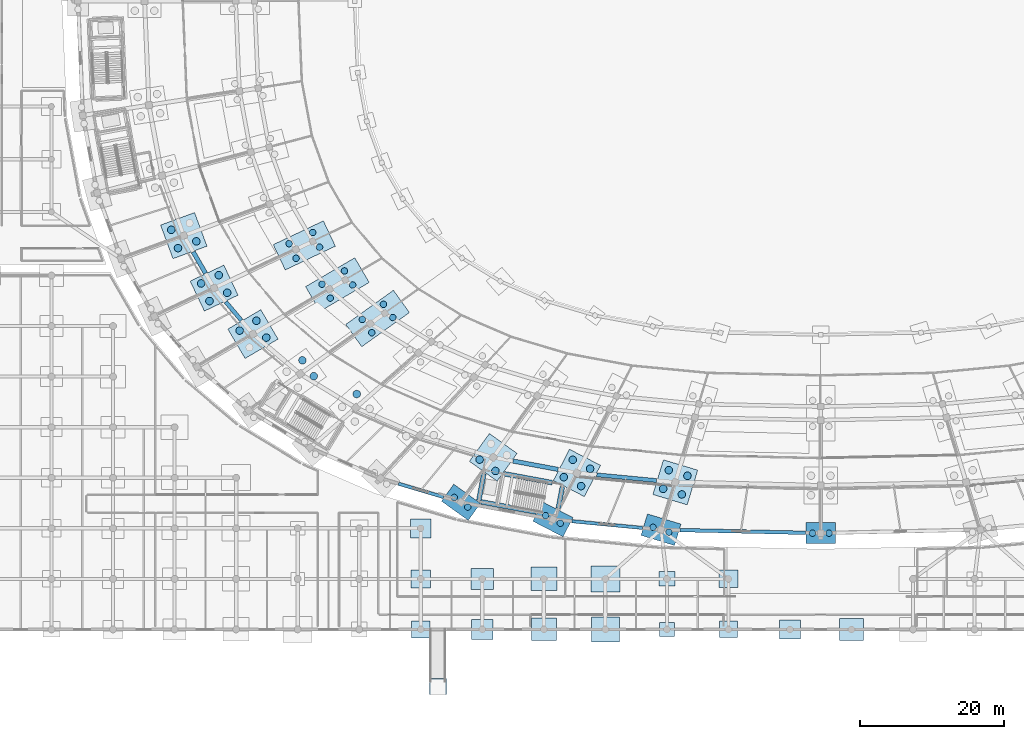
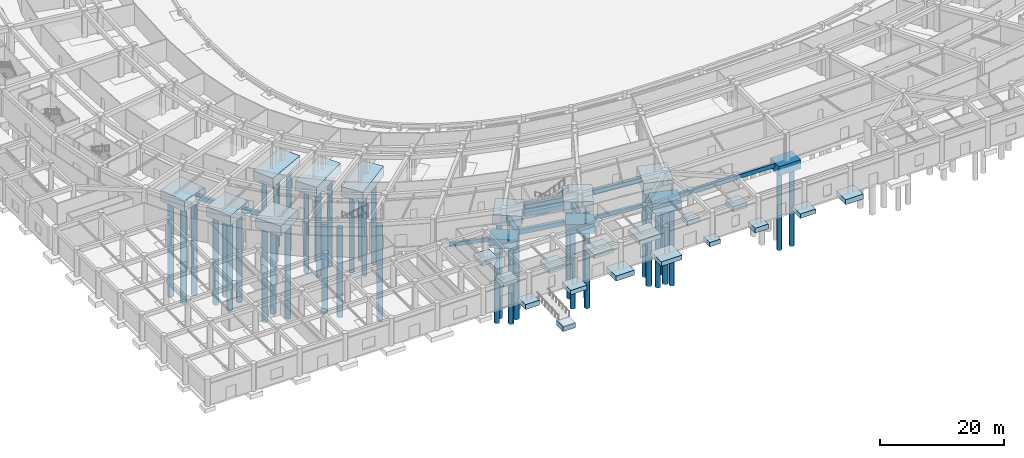
# One storey, part 2 of 88: 43 piles, 40 footings.
"""IFC4 building model written with IfcOpenShell, lengths in metres."""

from ifc_helpers import new_model, si_unit, direction, frame, origin, origin_2d, place, context, subcontext, project, spatial, rectangle, circle, extrude, material, material_profile, profile_set, type_object, element, save


model = new_model("IFC4")

# Units and contexts
model_context = context("Model", 3, precision=1e-05, world=origin(), true_north=direction((0.0, 1.0)))
body_context = subcontext(model_context, "Body", "Model", "MODEL_VIEW")
ifc_project = project(units=[si_unit("LENGTHUNIT", "METRE"), si_unit("AREAUNIT", "SQUARE_METRE"), si_unit("VOLUMEUNIT", "CUBIC_METRE"), si_unit("PLANEANGLEUNIT", "RADIAN"), si_unit("MASSUNIT", "GRAM", prefix="KILO")], contexts=[model_context])

# Site, building, storey
site_placement = place(None, origin())
site = spatial("IfcSite", under=ifc_project, at=site_placement, CompositionType="ELEMENT")
building_placement = place(site_placement, origin())
building = spatial("IfcBuilding", under=site, at=building_placement, Name="Mphavela Belvedere Stadium", CompositionType="ELEMENT")
storey_placement = place(building_placement, origin())
storey = spatial("IfcBuildingStorey", under=building, at=storey_placement, Name="L00", CompositionType="ELEMENT", Elevation=0.0)

# Footings
ifc_material_1 = material(Name="Concrete C35/45", Category="concrete")
footing_type_1 = type_object("IfcFootingType", Name="FTG-CORE-CF05", PredefinedType="PAD_FOOTING", material=ifc_material_1)
footing_1_placement = place(storey_placement, frame((78.95068359375, 18.2490234375, -0.89990234375), z_axis=(0.0, 0.0, 1.0), x_axis=(-0.183093507769, -0.983095502692, 0.0)))
element("IfcFooting", 1, at=footing_1_placement, inside=storey, type_object=footing_type_1, Name="Core C11 shear wall foundation pad left", PredefinedType="PAD_FOOTING", context=body_context, shape_type="SweptSolid", body=[
    extrude(rectangle(XDim=3.0, YDim=0.64990234375, at=origin_2d()), origin(), (0.0, 0.0, 1.0), 0.89990234375),
])
ifc_material_2 = material(Name="Concrete C35/45", Category="concrete")
footing_type_2 = type_object("IfcFootingType", Name="FTG-CORE-CF08", PredefinedType="PAD_FOOTING", material=ifc_material_2)
footing_2_placement = place(storey_placement, frame((68.01611328125, 19.726318359375, -0.89990234375), z_axis=(0.0, 0.0, 1.0), x_axis=(-0.183093507769, -0.983095502692, 0.0)))
element("IfcFooting", 2, at=footing_2_placement, inside=storey, type_object=footing_type_2, Name="Core C11 shear wall foundation pad right", PredefinedType="PAD_FOOTING", context=body_context, shape_type="SweptSolid", body=[
    extrude(rectangle(XDim=3.75, YDim=0.64990234375, at=origin_2d()), origin(), (0.0, 0.0, 1.0), 0.89990234375),
])
ifc_material_3 = material(Name="Concrete C35/45", Category="concrete")
footing_type_3 = type_object("IfcFootingType", Name="FTG-CORE-CF17", PredefinedType="PAD_FOOTING", material=ifc_material_3)
footing_3_placement = place(storey_placement, frame((74.5166015625, 20.930908203125, -0.89990234375), z_axis=(0.0, 0.0, 1.0), x_axis=(-0.983095502692, 0.183093507769, 0.0)))
element("IfcFooting", 3, at=footing_3_placement, inside=storey, type_object=footing_type_3, Name="Core C11 shear wall foundation pad front", PredefinedType="PAD_FOOTING", context=body_context, shape_type="SweptSolid", body=[
    extrude(rectangle(XDim=6.75, YDim=0.64990234375, at=origin_2d()), origin(), (0.0, 0.0, 1.0), 0.89990234375),
])
ifc_material_4 = material(Name="Concrete C35/45", Category="concrete")
footing_type_4 = type_object("IfcFootingType", Name="FTG-CORE-CF19", PredefinedType="PAD_FOOTING", material=ifc_material_4)
footing_4_placement = place(storey_placement, frame((71.81640625, 16.947998046875, -0.89990234375), z_axis=(0.0, 0.0, 1.0), x_axis=(-0.983095502692, 0.183093507769, 0.0)))
element("IfcFooting", 4, at=footing_4_placement, inside=storey, type_object=footing_type_4, Name="Core C11 shear wall foundation pad rear", PredefinedType="PAD_FOOTING", context=body_context, shape_type="SweptSolid", body=[
    extrude(rectangle(XDim=7.75, YDim=0.64990234375, at=origin_2d()), origin(), (0.0, 0.0, 1.0), 0.89990234375),
])
ifc_material_5 = material(Name="Concrete C35/45", Category="concrete")
ifc_material_profile_1 = material_profile(ifc_material_5, rectangle(XDim=0.449951171875, YDim=0.75, at=origin_2d()), Name="GB 450x750")
ifc_profile_set_1 = profile_set([ifc_material_profile_1], Name="Concrete C35/45")
footing_type_5 = type_object("IfcFootingType", Name="FTG-GB-01", PredefinedType="FOOTING_BEAM", material=ifc_profile_set_1)
footing_5_placement = place(storey_placement, frame((56.5537109375, 20.169189453125, -0.5), z_axis=(0.958664167642, -0.284540003654, 0.0), x_axis=(0.284540003654, 0.958664167642, 0.0)))
element("IfcFooting", 5, at=footing_5_placement, inside=storey, type_object=footing_type_5, Name="Ground tie-beam R4-33", PredefinedType="FOOTING_BEAM", context=body_context, shape_type="SweptSolid", body=[
    extrude(rectangle(XDim=0.449951171875, YDim=0.75, at=origin_2d()), origin(), (0.0, 0.0, 1.0), 6.49609375),
])
footing_6_placement = place(storey_placement, frame((80.57421875, 14.980224609375, -0.5), z_axis=(0.995483612938, -0.094933536598, 0.0), x_axis=(0.094933536598, 0.995483612938, 0.0)))
element("IfcFooting", 6, at=footing_6_placement, inside=storey, type_object=footing_type_5, Name="Ground tie-beam R4-35", PredefinedType="FOOTING_BEAM", context=body_context, shape_type="SweptSolid", body=[
    extrude(rectangle(XDim=0.449951171875, YDim=0.75, at=origin_2d()), origin(), (0.0, 0.0, 1.0), 9.813720703125),
])
ifc_material_6 = material(Name="Concrete C35/45", Category="concrete")
ifc_material_profile_2 = material_profile(ifc_material_6, rectangle(XDim=0.5, YDim=0.800048828125, at=origin_2d()), Name="GB 500x800")
ifc_profile_set_2 = profile_set([ifc_material_profile_2], Name="Concrete C35/45")
footing_type_6 = type_object("IfcFootingType", Name="FTG-GB-02", PredefinedType="FOOTING_BEAM", material=ifc_profile_set_2)
footing_7_placement = place(storey_placement, frame((95.507080078125, 13.749755859375, -0.5), z_axis=(0.99976823948, -0.021528291332, 0.0), x_axis=(0.021528291332, 0.99976823948, 0.0)))
element("IfcFooting", 7, at=footing_7_placement, inside=storey, type_object=footing_type_6, Name="Ground tie-beam R4-36", PredefinedType="FOOTING_BEAM", context=body_context, shape_type="SweptSolid", body=[
    extrude(rectangle(XDim=0.5, YDim=0.800048828125, at=origin_2d()), origin(), (0.0, 0.0, 1.0), 17.40771484375),
])
ifc_material_7 = material(Name="Concrete C35/45", Category="concrete")
ifc_material_profile_3 = material_profile(ifc_material_7, rectangle(XDim=0.550048828125, YDim=0.85009765625, at=origin_2d()), Name="GB 550x850")
ifc_profile_set_3 = profile_set([ifc_material_profile_3], Name="Concrete C35/45")
footing_type_7 = type_object("IfcFootingType", Name="FTG-GB-03", PredefinedType="FOOTING_BEAM", material=ifc_profile_set_3)
footing_8_placement = place(storey_placement, frame((32.62939453125, 45.35107421875, -0.550048828125), z_axis=(0.645184580174, -0.764026738738, 0.0), x_axis=(0.764026738738, 0.645184580174, 0.0)))
element("IfcFooting", 8, at=footing_8_placement, inside=storey, type_object=footing_type_7, Name="Ground tie-beam R3-29", PredefinedType="FOOTING_BEAM", context=body_context, shape_type="SweptSolid", body=[
    extrude(rectangle(XDim=0.550048828125, YDim=0.85009765625, at=origin_2d()), origin(), (0.0, 0.0, 1.0), 3.366943359375),
])
footing_9_placement = place(storey_placement, frame((83.99169921875, 21.403076171875, -0.550048828125), z_axis=(0.995482516412, -0.094945034194, 0.0), x_axis=(0.094945034194, 0.995482516412, 0.0)))
element("IfcFooting", 9, at=footing_9_placement, inside=storey, type_object=footing_type_7, Name="Ground tie-beam R3-35", PredefinedType="FOOTING_BEAM", context=body_context, shape_type="SweptSolid", body=[
    extrude(rectangle(XDim=0.550048828125, YDim=0.85009765625, at=origin_2d()), origin(), (0.0, 0.0, 1.0), 8.3056640625),
])
ifc_material_8 = material(Name="Concrete C35/45", Category="concrete")
ifc_material_profile_4 = material_profile(ifc_material_8, rectangle(XDim=0.60009765625, YDim=0.89990234375, at=origin_2d()), Name="GB 600x900")
ifc_profile_set_4 = profile_set([ifc_material_profile_4], Name="Concrete C35/45")
footing_type_8 = type_object("IfcFootingType", Name="FTG-GB-04", PredefinedType="FOOTING_BEAM", material=ifc_profile_set_4)
footing_10_placement = place(storey_placement, frame((28.12744140625, 52.26220703125, -0.550048828125), z_axis=(0.50051297735, -0.865729033534, 0.0), x_axis=(0.865729033534, 0.50051297735, 0.0)))
element("IfcFooting", 10, at=footing_10_placement, inside=storey, type_object=footing_type_8, Name="Ground tie-beam R3-28", PredefinedType="FOOTING_BEAM", context=body_context, shape_type="SweptSolid", body=[
    extrude(rectangle(XDim=0.60009765625, YDim=0.89990234375, at=origin_2d()), origin(), (0.0, 0.0, 1.0), 3.42138671875),
])
footing_11_placement = place(storey_placement, frame((72.399169921875, 23.312744140625, -0.550048828125), z_axis=(0.983101254743, -0.183062620222, 0.0), x_axis=(0.183062620222, 0.983101254743, 0.0)))
element("IfcFooting", 11, at=footing_11_placement, inside=storey, type_object=footing_type_8, Name="Ground tie-beam R3-34", PredefinedType="FOOTING_BEAM", context=body_context, shape_type="SweptSolid", body=[
    extrude(rectangle(XDim=0.60009765625, YDim=0.89990234375, at=origin_2d()), origin(), (0.0, 0.0, 1.0), 6.349365234375),
])
ifc_material_9 = material(Name="Concrete C35/45", Category="concrete")
footing_type_9 = type_object("IfcFootingType", Name="FTG-PAD-02", PredefinedType="PAD_FOOTING", material=ifc_material_9)
footing_12_placement = place(storey_placement, frame((93.7041015625, 0.0, -0.83984375), z_axis=(0.0, 0.0, 1.0), x_axis=(1.0, 0.0, 0.0)))
element("IfcFooting", 12, at=footing_12_placement, inside=storey, type_object=footing_type_9, Name="South Axial Triumphal Peristyle Portico pad footing 12-1", PredefinedType="PAD_FOOTING", context=body_context, shape_type="SweptSolid", body=[
    extrude(rectangle(XDim=2.0400390625, YDim=1.919921875, at=origin_2d()), origin(), (0.0, 0.0, 1.0), 0.840087890625),
])
ifc_material_10 = material(Name="Concrete C35/45", Category="concrete")
footing_type_10 = type_object("IfcFootingType", Name="FTG-PAD-03", PredefinedType="PAD_FOOTING", material=ifc_material_10)
footing_13_placement = place(storey_placement, frame((93.7041015625, 7.0, -0.8798828125), z_axis=(0.0, 0.0, 1.0), x_axis=(1.0, 0.0, 0.0)))
element("IfcFooting", 13, at=footing_13_placement, inside=storey, type_object=footing_type_10, Name="South Axial Triumphal Peristyle Portico pad footing 12-2", PredefinedType="PAD_FOOTING", context=body_context, shape_type="SweptSolid", body=[
    extrude(rectangle(XDim=2.179931640625, YDim=2.0400390625, at=origin_2d()), origin(), (0.0, 0.0, 1.0), 0.8798828125),
])
ifc_material_11 = material(Name="Concrete C35/45", Category="concrete")
footing_type_11 = type_object("IfcFootingType", Name="FTG-PAD-04", PredefinedType="PAD_FOOTING", material=ifc_material_11)
footing_14_placement = place(storey_placement, frame((62.0, -7.89990234375, -1.4599609375), z_axis=(0.0, 0.0, 1.0), x_axis=(1.0, 0.0, 0.0)))
element("IfcFooting", 14, at=footing_14_placement, inside=storey, type_object=footing_type_11, Name="Ramp RP1 approach foundation pad", PredefinedType="PAD_FOOTING", context=body_context, shape_type="SweptSolid", body=[
    extrude(rectangle(XDim=2.320068359375, YDim=2.159912109375, at=origin_2d()), origin(), (0.0, 0.0, 1.0), 0.919921875),
])
ifc_material_12 = material(Name="Concrete C35/45", Category="concrete")
footing_type_12 = type_object("IfcFootingType", Name="FTG-PAD-05", PredefinedType="PAD_FOOTING", material=ifc_material_12)
footing_15_placement = place(storey_placement, frame((102.221923828125, 0.0, -0.9599609375), z_axis=(0.0, 0.0, 1.0), x_axis=(1.0, 0.0, 0.0)))
element("IfcFooting", 15, at=footing_15_placement, inside=storey, type_object=footing_type_12, Name="South Axial Triumphal Peristyle Portico pad footing 13-1", PredefinedType="PAD_FOOTING", context=body_context, shape_type="SweptSolid", body=[
    extrude(rectangle(XDim=2.4599609375, YDim=2.280029296875, at=origin_2d()), origin(), (0.0, 0.0, 1.0), 0.9599609375),
])
ifc_material_13 = material(Name="Concrete C35/45", Category="concrete")
footing_type_13 = type_object("IfcFootingType", Name="FTG-PAD-06", PredefinedType="PAD_FOOTING", material=ifc_material_13)
for number, where, z_axis, x_axis, name in (
    (16, (59.6298828125, 0.0, -1.0), (0.0, 0.0, 1.0), (1.0, 0.0, 0.0), "South Axial Triumphal Peristyle Portico pad footing 8-1"),
    (17, (102.221923828125, 7.0, -1.0), (0.0, 0.0, 1.0), (1.0, 0.0, 0.0), "South Axial Triumphal Peristyle Portico pad footing 13-2"),
):
    element("IfcFooting", number, at=place(storey_placement, frame(where, z_axis=z_axis, x_axis=x_axis)), inside=storey, type_object=footing_type_13, Name=name, PredefinedType="PAD_FOOTING", context=body_context, shape_type="SweptSolid", body=[
        extrude(rectangle(XDim=2.60009765625, YDim=2.39990234375, at=origin_2d()), origin(), (0.0, 0.0, 1.0), 1.0),
    ])
ifc_material_14 = material(Name="Concrete C35/45", Category="concrete")
footing_type_14 = type_object("IfcFootingType", Name="FTG-PAD-07", PredefinedType="PAD_FOOTING", material=ifc_material_14)
footing_16_placement = place(storey_placement, frame((59.6298828125, 7.0, -0.7998046875), z_axis=(0.0, 0.0, 1.0), x_axis=(1.0, 0.0, 0.0)))
element("IfcFooting", 18, at=footing_16_placement, inside=storey, type_object=footing_type_14, Name="South Axial Triumphal Peristyle Portico pad footing 8-2", PredefinedType="PAD_FOOTING", context=body_context, shape_type="SweptSolid", body=[
    extrude(rectangle(XDim=2.739990234375, YDim=2.52001953125, at=origin_2d()), origin(), (0.0, 0.0, 1.0), 0.800048828125),
])
ifc_material_15 = material(Name="Concrete C35/45", Category="concrete")
footing_type_15 = type_object("IfcFootingType", Name="FTG-PAD-08", PredefinedType="PAD_FOOTING", material=ifc_material_15)
for number, where, z_axis, x_axis, name in (
    (19, (59.6298828125, 14.0, -0.83984375), (0.0, 0.0, 1.0), (1.0, 0.0, 0.0), "South Axial Triumphal Peristyle Portico pad footing 8-3"),
    (20, (110.740966796875, 0.0, -0.83984375), (0.0, 0.0, 1.0), (1.0, 0.0, 0.0), "South Axial Triumphal Peristyle Portico pad footing 14-1"),
):
    element("IfcFooting", number, at=place(storey_placement, frame(where, z_axis=z_axis, x_axis=x_axis)), inside=storey, type_object=footing_type_15, Name=name, PredefinedType="PAD_FOOTING", context=body_context, shape_type="SweptSolid", body=[
        extrude(rectangle(XDim=2.8798828125, YDim=2.639892578125, at=origin_2d()), origin(), (0.0, 0.0, 1.0), 0.840087890625),
    ])
ifc_material_16 = material(Name="Concrete C35/45", Category="concrete")
footing_type_16 = type_object("IfcFootingType", Name="FTG-PAD-09", PredefinedType="PAD_FOOTING", material=ifc_material_16)
footing_17_placement = place(storey_placement, frame((68.14794921875, 0.0, -0.8798828125), z_axis=(0.0, 0.0, 1.0), x_axis=(1.0, 0.0, 0.0)))
element("IfcFooting", 21, at=footing_17_placement, inside=storey, type_object=footing_type_16, Name="South Axial Triumphal Peristyle Portico pad footing 9-1", PredefinedType="PAD_FOOTING", context=body_context, shape_type="SweptSolid", body=[
    extrude(rectangle(XDim=3.02001953125, YDim=2.760009765625, at=origin_2d()), origin(), (0.0, 0.0, 1.0), 0.8798828125),
])
ifc_material_17 = material(Name="Concrete C35/45", Category="concrete")
footing_type_17 = type_object("IfcFootingType", Name="FTG-PAD-10", PredefinedType="PAD_FOOTING", material=ifc_material_17)
footing_18_placement = place(storey_placement, frame((68.14794921875, 7.0, -0.919921875), z_axis=(0.0, 0.0, 1.0), x_axis=(1.0, 0.0, 0.0)))
element("IfcFooting", 22, at=footing_18_placement, inside=storey, type_object=footing_type_17, Name="South Axial Triumphal Peristyle Portico pad footing 9-2", PredefinedType="PAD_FOOTING", context=body_context, shape_type="SweptSolid", body=[
    extrude(rectangle(XDim=3.159912109375, YDim=2.8798828125, at=origin_2d()), origin(), (0.0, 0.0, 1.0), 0.919921875),
])
ifc_material_18 = material(Name="Concrete C35/45", Category="concrete")
footing_type_18 = type_object("IfcFootingType", Name="FTG-PAD-11", PredefinedType="PAD_FOOTING", material=ifc_material_18)
footing_19_placement = place(storey_placement, frame((119.259033203125, 0.0, -0.9599609375), z_axis=(0.0, 0.0, 1.0), x_axis=(1.0, 0.0, 0.0)))
element("IfcFooting", 23, at=footing_19_placement, inside=storey, type_object=footing_type_18, Name="South Axial Triumphal Peristyle Portico pad footing 15-1", PredefinedType="PAD_FOOTING", context=body_context, shape_type="SweptSolid", body=[
    extrude(rectangle(XDim=3.300048828125, YDim=3.0, at=origin_2d()), origin(), (0.0, 0.0, 1.0), 0.9599609375),
])
ifc_material_19 = material(Name="Concrete C35/45", Category="concrete")
footing_type_19 = type_object("IfcFootingType", Name="FTG-PAD-12", PredefinedType="PAD_FOOTING", material=ifc_material_19)
footing_20_placement = place(storey_placement, frame((76.6669921875, 0.0, -1.0), z_axis=(0.0, 0.0, 1.0), x_axis=(1.0, 0.0, 0.0)))
element("IfcFooting", 24, at=footing_20_placement, inside=storey, type_object=footing_type_19, Name="South Axial Triumphal Peristyle Portico pad footing 10-1", PredefinedType="PAD_FOOTING", context=body_context, shape_type="SweptSolid", body=[
    extrude(rectangle(XDim=3.43994140625, YDim=3.1201171875, at=origin_2d()), origin(), (0.0, 0.0, 1.0), 1.0),
])
ifc_material_20 = material(Name="Concrete C35/45", Category="concrete")
footing_type_20 = type_object("IfcFootingType", Name="FTG-PAD-13", PredefinedType="PAD_FOOTING", material=ifc_material_20)
footing_21_placement = place(storey_placement, frame((76.6669921875, 7.0, -0.7998046875), z_axis=(0.0, 0.0, 1.0), x_axis=(1.0, 0.0, 0.0)))
element("IfcFooting", 25, at=footing_21_placement, inside=storey, type_object=footing_type_20, Name="South Axial Triumphal Peristyle Portico pad footing 10-2", PredefinedType="PAD_FOOTING", context=body_context, shape_type="SweptSolid", body=[
    extrude(rectangle(XDim=3.580078125, YDim=3.239990234375, at=origin_2d()), origin(), (0.0, 0.0, 1.0), 0.800048828125),
])
ifc_material_21 = material(Name="Concrete C35/45", Category="concrete")
footing_type_21 = type_object("IfcFootingType", Name="FTG-PAD-15", PredefinedType="PAD_FOOTING", material=ifc_material_21)
footing_22_placement = place(storey_placement, frame((85.18505859375, 0.0, -0.8798828125), z_axis=(0.0, 0.0, 1.0), x_axis=(1.0, 0.0, 0.0)))
element("IfcFooting", 26, at=footing_22_placement, inside=storey, type_object=footing_type_21, Name="South Axial Triumphal Peristyle Portico pad footing 11-1", PredefinedType="PAD_FOOTING", context=body_context, shape_type="SweptSolid", body=[
    extrude(rectangle(XDim=3.860107421875, YDim=3.47998046875, at=origin_2d()), origin(), (0.0, 0.0, 1.0), 0.8798828125),
])
ifc_material_22 = material(Name="Concrete C35/45", Category="concrete")
footing_type_22 = type_object("IfcFootingType", Name="FTG-PAD-16", PredefinedType="PAD_FOOTING", material=ifc_material_22)
footing_23_placement = place(storey_placement, frame((85.18505859375, 7.0, -0.919921875), z_axis=(0.0, 0.0, 1.0), x_axis=(1.0, 0.0, 0.0)))
element("IfcFooting", 27, at=footing_23_placement, inside=storey, type_object=footing_type_22, Name="South Axial Triumphal Peristyle Portico pad footing 11-2", PredefinedType="PAD_FOOTING", context=body_context, shape_type="SweptSolid", body=[
    extrude(rectangle(XDim=4.0, YDim=3.60009765625, at=origin_2d()), origin(), (0.0, 0.0, 1.0), 0.919921875),
])
ifc_material_23 = material(Name="Concrete C35/45", Category="concrete")
footing_type_23 = type_object("IfcFootingType", Name="FTG-PC-R12-05", PredefinedType="PILE_CAP", material=ifc_material_23)
footing_24_placement = place(storey_placement, frame((43.51220703125, 53.162353515625, -1.85009765625), z_axis=(0.0, 0.0, 1.0), x_axis=(-0.903858661687, -0.4278311813, 0.0)))
element("IfcFooting", 28, at=footing_24_placement, inside=storey, type_object=footing_type_23, Name="Bowl inner pile cap 29", PredefinedType="PILE_CAP", context=body_context, shape_type="SweptSolid", body=[
    extrude(rectangle(XDim=7.679931640625, YDim=3.8798828125, at=origin_2d()), origin(), (0.0, 0.0, 1.0), 1.85009765625),
])
ifc_material_24 = material(Name="Concrete C35/45", Category="concrete")
footing_type_24 = type_object("IfcFootingType", Name="FTG-PC-R12-06", PredefinedType="PILE_CAP", material=ifc_material_24)
footing_25_placement = place(storey_placement, frame((48.087890625, 47.743408203125, -1.91015625), z_axis=(0.0, 0.0, 1.0), x_axis=(-0.862513669207, -0.506033764121, 0.0)))
element("IfcFooting", 29, at=footing_25_placement, inside=storey, type_object=footing_type_24, Name="Bowl inner pile cap 30", PredefinedType="PILE_CAP", context=body_context, shape_type="SweptSolid", body=[
    extrude(rectangle(XDim=7.89990234375, YDim=3.9599609375, at=origin_2d()), origin(), (0.0, 0.0, 1.0), 1.909912109375),
])
ifc_material_25 = material(Name="Concrete C35/45", Category="concrete")
footing_type_25 = type_object("IfcFootingType", Name="FTG-PC-R12-07", PredefinedType="PILE_CAP", material=ifc_material_25)
footing_26_placement = place(storey_placement, frame((53.654296875, 43.046142578125, -1.97021484375), z_axis=(0.0, 0.0, 1.0), x_axis=(-0.812897512265, -0.582406760395, 0.0)))
element("IfcFooting", 30, at=footing_26_placement, inside=storey, type_object=footing_type_25, Name="Bowl inner pile cap 31", PredefinedType="PILE_CAP", context=body_context, shape_type="SweptSolid", body=[
    extrude(rectangle(XDim=8.1201171875, YDim=3.800048828125, at=origin_2d()), origin(), (0.0, 0.0, 1.0), 1.969970703125),
])
ifc_material_26 = material(Name="Concrete C35/45", Category="concrete")
footing_type_26 = type_object("IfcFootingType", Name="FTG-PC-R3-02", PredefinedType="PILE_CAP", material=ifc_material_26)
footing_27_placement = place(storey_placement, frame((69.662109375, 23.822509765625, -2.009765625), z_axis=(0.0, 0.0, 1.0), x_axis=(-0.582974127943, -0.812490717577, 0.0)))
element("IfcFooting", 31, at=footing_27_placement, inside=storey, type_object=footing_type_26, Name="Bowl main pile cap 34", PredefinedType="PILE_CAP", context=body_context, shape_type="SweptSolid", body=[
    extrude(rectangle(XDim=4.739990234375, YDim=4.719970703125, at=origin_2d()), origin(), (0.0, 0.0, 1.0), 2.010009765625),
])
ifc_material_27 = material(Name="Concrete C35/45", Category="concrete")
footing_type_27 = type_object("IfcFootingType", Name="FTG-PC-R3-03", PredefinedType="PILE_CAP", material=ifc_material_27)
footing_28_placement = place(storey_placement, frame((81.249755859375, 21.66455078125, -2.06982421875), z_axis=(0.0, 0.0, 1.0), x_axis=(-0.458959712465, -0.888457079624, 0.0)))
element("IfcFooting", 32, at=footing_28_placement, inside=storey, type_object=footing_type_27, Name="Bowl main pile cap 35", PredefinedType="PILE_CAP", context=body_context, shape_type="SweptSolid", body=[
    extrude(rectangle(XDim=4.8798828125, YDim=4.840087890625, at=origin_2d()), origin(), (0.0, 0.0, 1.0), 2.070068359375),
])
ifc_material_28 = material(Name="Concrete C35/45", Category="concrete")
footing_type_28 = type_object("IfcFootingType", Name="FTG-PC-R3-04", PredefinedType="PILE_CAP", material=ifc_material_28)
for number, where, z_axis, x_axis, name in (
    (33, (26.824462890625, 54.515625, -2.1298828125), (0.0, 0.0, 1.0), (-0.938372433776, -0.34562577382, 0.0), "Bowl main pile cap 28"),
    (34, (94.8671875, 20.365966796875, -2.1298828125), (0.0, 0.0, 1.0), (-0.289198876314, -0.957269037387, 0.0), "Bowl main pile cap 36"),
):
    element("IfcFooting", number, at=place(storey_placement, frame(where, z_axis=z_axis, x_axis=x_axis)), inside=storey, type_object=footing_type_28, Name=name, PredefinedType="PILE_CAP", context=body_context, shape_type="SweptSolid", body=[
        extrude(rectangle(XDim=5.02001953125, YDim=4.9599609375, at=origin_2d()), origin(), (0.0, 0.0, 1.0), 2.1298828125),
    ])
ifc_material_29 = material(Name="Concrete C35/45", Category="concrete")
footing_type_29 = type_object("IfcFootingType", Name="FTG-PC-R3-05", PredefinedType="PILE_CAP", material=ifc_material_29)
footing_29_placement = place(storey_placement, frame((31.0244140625, 47.251708984375, -1.9501953125), z_axis=(0.0, 0.0, 1.0), x_axis=(-0.903858661687, -0.4278311813, 0.0)))
element("IfcFooting", 35, at=footing_29_placement, inside=storey, type_object=footing_type_29, Name="Bowl main pile cap 29", PredefinedType="PILE_CAP", context=body_context, shape_type="SweptSolid", body=[
    extrude(rectangle(XDim=5.159912109375, YDim=4.60009765625, at=origin_2d()), origin(), (0.0, 0.0, 1.0), 1.949951171875),
])
ifc_material_30 = material(Name="Concrete C35/45", Category="concrete")
footing_type_30 = type_object("IfcFootingType", Name="FTG-PC-R3-06", PredefinedType="PILE_CAP", material=ifc_material_30)
footing_30_placement = place(storey_placement, frame((36.399658203125, 40.88623046875, -2.009765625), z_axis=(0.0, 0.0, 1.0), x_axis=(-0.862513669207, -0.506033764121, 0.0)))
element("IfcFooting", 36, at=footing_30_placement, inside=storey, type_object=footing_type_30, Name="Bowl main pile cap 30", PredefinedType="PILE_CAP", context=body_context, shape_type="SweptSolid", body=[
    extrude(rectangle(XDim=5.300048828125, YDim=4.719970703125, at=origin_2d()), origin(), (0.0, 0.0, 1.0), 2.010009765625),
])
ifc_material_31 = material(Name="Concrete C35/45", Category="concrete")
footing_type_31 = type_object("IfcFootingType", Name="FTG-PC-R4-01", PredefinedType="PILE_CAP", material=ifc_material_31)
footing_31_placement = place(storey_placement, frame((115.0, 13.330078125, -1.7998046875), z_axis=(0.0, 0.0, 1.0), x_axis=(1.0, 0.0, 0.0)))
element("IfcFooting", 37, at=footing_31_placement, inside=storey, type_object=footing_type_31, Name="Perimeter colonnade pile cap 37", PredefinedType="PILE_CAP", context=body_context, shape_type="SweptSolid", body=[
    extrude(rectangle(XDim=4.10009765625, YDim=2.89990234375, at=origin_2d()), origin(), (0.0, 0.0, 1.0), 1.800048828125),
])
ifc_material_32 = material(Name="Concrete C35/45", Category="concrete")
footing_type_32 = type_object("IfcFootingType", Name="FTG-PC-R4-04", PredefinedType="PILE_CAP", material=ifc_material_32)
footing_32_placement = place(storey_placement, frame((65.19873046875, 17.60302734375, -1.7998046875), z_axis=(0.0, 0.0, 1.0), x_axis=(0.812490717577, -0.582974127943, 0.0)))
element("IfcFooting", 38, at=footing_32_placement, inside=storey, type_object=footing_type_32, Name="Perimeter colonnade pile cap 34", PredefinedType="PILE_CAP", context=body_context, shape_type="SweptSolid", body=[
    extrude(rectangle(XDim=4.550048828125, YDim=2.89990234375, at=origin_2d()), origin(), (0.0, 0.0, 1.0), 1.800048828125),
])
ifc_material_33 = material(Name="Concrete C35/45", Category="concrete")
footing_type_33 = type_object("IfcFootingType", Name="FTG-PC-R4-05", PredefinedType="PILE_CAP", material=ifc_material_33)
footing_33_placement = place(storey_placement, frame((77.92724609375, 15.232666015625, -1.85986328125), z_axis=(0.0, 0.0, 1.0), x_axis=(0.888457079624, -0.458959712465, 0.0)))
element("IfcFooting", 39, at=footing_33_placement, inside=storey, type_object=footing_type_33, Name="Perimeter colonnade pile cap 35", PredefinedType="PILE_CAP", context=body_context, shape_type="SweptSolid", body=[
    extrude(rectangle(XDim=4.699951171875, YDim=3.0, at=origin_2d()), origin(), (0.0, 0.0, 1.0), 1.860107421875),
])
ifc_material_34 = material(Name="Concrete C35/45", Category="concrete")
footing_type_34 = type_object("IfcFootingType", Name="FTG-PC-R4-06", PredefinedType="PILE_CAP", material=ifc_material_34)
footing_34_placement = place(storey_placement, frame((92.885498046875, 13.80615234375, -1.919921875), z_axis=(0.0, 0.0, 1.0), x_axis=(0.957269037387, -0.289198876314, 0.0)))
element("IfcFooting", 40, at=footing_34_placement, inside=storey, type_object=footing_type_34, Name="Perimeter colonnade pile cap 36", PredefinedType="PILE_CAP", context=body_context, shape_type="SweptSolid", body=[
    extrude(rectangle(XDim=4.85009765625, YDim=3.10009765625, at=origin_2d()), origin(), (0.0, 0.0, 1.0), 1.919921875),
])

# Piles
ifc_material_35 = material(Name="Concrete C35/45", Category="concrete")
ifc_material_profile_5 = material_profile(ifc_material_35, circle(Radius=0.52490234375, at=origin_2d()), Name="BP D1050")
ifc_profile_set_5 = profile_set([ifc_material_profile_5], Name="Concrete C35/45")
pile_type_1 = type_object("IfcPileType", Name="PIL-BP1050-A", PredefinedType="BORED", material=ifc_profile_set_5)
for number, where, z_axis, x_axis, name in (
    (41, (31.6669921875, 49.04931640625, -1.85009765625), (0.0, 0.0, -1.0), (1.0, 0.0, 0.0), "Bored pile R3-29-1"),
    (42, (32.822265625, 46.60888671875, -1.85009765625), (0.0, 0.0, -1.0), (1.0, 0.0, 0.0), "Bored pile R3-29-2"),
    (43, (29.226806640625, 47.894287109375, -1.85009765625), (0.0, 0.0, -1.0), (1.0, 0.0, 0.0), "Bored pile R3-29-3"),
    (44, (30.3818359375, 45.453857421875, -1.85009765625), (0.0, 0.0, -1.0), (1.0, 0.0, 0.0), "Bored pile R3-29-4"),
    (45, (43.249755859375, 37.252197265625, -1.969970703125), (0.0, 0.0, -1.0), (1.0, 0.0, 0.0), "Bored pile R3-31-1"),
    (46, (44.822265625, 35.057373046875, -1.969970703125), (0.0, 0.0, -1.0), (1.0, 0.0, 0.0), "Bored pile R3-31-2"),
    (47, (80.669921875, 23.4833984375, -1.969970703125), (0.0, 0.0, -1.0), (1.0, 0.0, 0.0), "Bored pile R3-35-1"),
    (48, (83.068603515625, 22.244384765625, -1.969970703125), (0.0, 0.0, -1.0), (1.0, 0.0, 0.0), "Bored pile R3-35-2"),
    (49, (79.4306640625, 21.084716796875, -1.969970703125), (0.0, 0.0, -1.0), (1.0, 0.0, 0.0), "Bored pile R3-35-3"),
    (50, (81.82958984375, 19.845458984375, -1.969970703125), (0.0, 0.0, -1.0), (1.0, 0.0, 0.0), "Bored pile R3-35-4"),
):
    element("IfcPile", number, at=place(storey_placement, frame(where, z_axis=z_axis, x_axis=x_axis)), inside=storey, type_object=pile_type_1, Name=name, PredefinedType="BORED", context=body_context, shape_type="SweptSolid", body=[
        extrude(circle(Radius=0.52490234375, at=origin_2d()), origin(), (0.0, 0.0, 1.0), 17.5),
    ])
ifc_material_36 = material(Name="Concrete C35/45", Category="concrete")
ifc_material_profile_6 = material_profile(ifc_material_36, circle(Radius=0.52490234375, at=origin_2d()), Name="BP D1050")
ifc_profile_set_6 = profile_set([ifc_material_profile_6], Name="Concrete C35/45")
pile_type_2 = type_object("IfcPileType", Name="PIL-BP1050-B", PredefinedType="BORED", material=ifc_profile_set_6)
for number, where, z_axis, x_axis, name in (
    (51, (28.557861328125, 53.715576171875, -2.030029296875), (0.0, 0.0, -1.0), (1.0, 0.0, 0.0), "Bored pile R3-28-2"),
    (52, (25.0908203125, 55.31591796875, -2.030029296875), (0.0, 0.0, -1.0), (1.0, 0.0, 0.0), "Bored pile R3-28-3"),
    (53, (26.0244140625, 52.7822265625, -2.030029296875), (0.0, 0.0, -1.0), (1.0, 0.0, 0.0), "Bored pile R3-28-4"),
    (54, (36.880859375, 42.733642578125, -1.909912109375), (0.0, 0.0, -1.0), (1.0, 0.0, 0.0), "Bored pile R3-30-1"),
    (55, (38.2470703125, 40.40478515625, -1.909912109375), (0.0, 0.0, -1.0), (1.0, 0.0, 0.0), "Bored pile R3-30-2"),
    (56, (34.552001953125, 41.367431640625, -1.909912109375), (0.0, 0.0, -1.0), (1.0, 0.0, 0.0), "Bored pile R3-30-3"),
    (57, (50.766845703125, 32.588134765625, -2.030029296875), (0.0, 0.0, -1.0), (1.0, 0.0, 0.0), "Bored pile R3-32-1"),
    (58, (67.7783203125, 23.512939453125, -1.909912109375), (0.0, 0.0, -1.0), (1.0, 0.0, 0.0), "Bored pile R3-34-3"),
    (59, (69.9716796875, 21.938720703125, -1.909912109375), (0.0, 0.0, -1.0), (1.0, 0.0, 0.0), "Bored pile R3-34-4"),
    (60, (93.96533203125, 22.048828125, -2.030029296875), (0.0, 0.0, -1.0), (1.0, 0.0, 0.0), "Bored pile R3-36-1"),
    (61, (96.550048828125, 21.267822265625, -2.030029296875), (0.0, 0.0, -1.0), (1.0, 0.0, 0.0), "Bored pile R3-36-2"),
    (62, (93.1845703125, 19.464111328125, -2.030029296875), (0.0, 0.0, -1.0), (1.0, 0.0, 0.0), "Bored pile R3-36-3"),
    (63, (95.769287109375, 18.68310546875, -2.030029296875), (0.0, 0.0, -1.0), (1.0, 0.0, 0.0), "Bored pile R3-36-4"),
):
    element("IfcPile", number, at=place(storey_placement, frame(where, z_axis=z_axis, x_axis=x_axis)), inside=storey, type_object=pile_type_2, Name=name, PredefinedType="BORED", context=body_context, shape_type="SweptSolid", body=[
        extrude(circle(Radius=0.52490234375, at=origin_2d()), origin(), (0.0, 0.0, 1.0), 18.800048828125),
    ])
ifc_material_37 = material(Name="Concrete C35/45", Category="concrete")
ifc_material_profile_7 = material_profile(ifc_material_37, circle(Radius=0.449951171875, at=origin_2d()), Name="BP D900")
ifc_profile_set_7 = profile_set([ifc_material_profile_7], Name="Concrete C35/45")
pile_type_3 = type_object("IfcPileType", Name="PIL-BP900-A", PredefinedType="BORED", material=ifc_profile_set_7)
for number, where, z_axis, x_axis, name in (
    (64, (44.65771484375, 54.94921875, -1.75), (0.0, 0.0, -1.0), (1.0, 0.0, 0.0), "Bored pile R12-29-1"),
    (65, (45.620361328125, 52.91552734375, -1.75), (0.0, 0.0, -1.0), (1.0, 0.0, 0.0), "Bored pile R12-29-2"),
    (66, (41.40380859375, 53.4091796875, -1.75), (0.0, 0.0, -1.0), (1.0, 0.0, 0.0), "Bored pile R12-29-3"),
    (67, (42.366455078125, 51.37548828125, -1.75), (0.0, 0.0, -1.0), (1.0, 0.0, 0.0), "Bored pile R12-29-4"),
    (68, (54.46240234375, 45.009033203125, -1.8701171875), (0.0, 0.0, -1.0), (1.0, 0.0, 0.0), "Bored pile R12-31-1"),
    (69, (55.772705078125, 43.18017578125, -1.8701171875), (0.0, 0.0, -1.0), (1.0, 0.0, 0.0), "Bored pile R12-31-2"),
    (70, (51.535888671875, 42.912353515625, -1.8701171875), (0.0, 0.0, -1.0), (1.0, 0.0, 0.0), "Bored pile R12-31-3"),
    (71, (52.846435546875, 41.083251953125, -1.8701171875), (0.0, 0.0, -1.0), (1.0, 0.0, 0.0), "Bored pile R12-31-4"),
):
    element("IfcPile", number, at=place(storey_placement, frame(where, z_axis=z_axis, x_axis=x_axis)), inside=storey, type_object=pile_type_3, Name=name, PredefinedType="BORED", context=body_context, shape_type="SweptSolid", body=[
        extrude(circle(Radius=0.449951171875, at=origin_2d()), origin(), (0.0, 0.0, 1.0), 16.0),
    ])
for number, where, z_axis, x_axis, name in (
    (72, (64.264404296875, 18.273681640625, -1.699951171875), (0.0, 0.0, -1.0), (1.0, 0.0, 0.0), "Bored pile R4-34-1"),
    (73, (66.133056640625, 16.9326171875, -1.699951171875), (0.0, 0.0, -1.0), (1.0, 0.0, 0.0), "Bored pile R4-34-2"),
    (74, (76.905517578125, 15.760498046875, -1.760009765625), (0.0, 0.0, -1.0), (1.0, 0.0, 0.0), "Bored pile R4-35-1"),
    (75, (78.948974609375, 14.704833984375, -1.760009765625), (0.0, 0.0, -1.0), (1.0, 0.0, 0.0), "Bored pile R4-35-2"),
    (76, (91.784423828125, 14.138916015625, -1.820068359375), (0.0, 0.0, -1.0), (1.0, 0.0, 0.0), "Bored pile R4-36-1"),
    (77, (93.986328125, 13.4736328125, -1.820068359375), (0.0, 0.0, -1.0), (1.0, 0.0, 0.0), "Bored pile R4-36-2"),
    (78, (113.85009765625, 13.330078125, -1.699951171875), (0.0, 0.0, -1.0), (1.0, 0.0, 0.0), "Bored pile R4-37-1"),
    (79, (116.14990234375, 13.330078125, -1.699951171875), (0.0, 0.0, -1.0), (1.0, 0.0, 0.0), "Bored pile R4-37-2"),
):
    element("IfcPile", number, at=place(storey_placement, frame(where, z_axis=z_axis, x_axis=x_axis)), inside=storey, type_object=pile_type_3, Name=name, PredefinedType="BORED", context=body_context, shape_type="SweptSolid", body=[
        extrude(circle(Radius=0.449951171875, at=origin_2d()), origin(), (0.0, 0.0, 1.0), 15.60009765625),
    ])
ifc_material_38 = material(Name="Concrete C35/45", Category="concrete")
ifc_material_profile_8 = material_profile(ifc_material_38, circle(Radius=0.449951171875, at=origin_2d()), Name="BP D900")
ifc_profile_set_8 = profile_set([ifc_material_profile_8], Name="Concrete C35/45")
pile_type_4 = type_object("IfcPileType", Name="PIL-BP900-B", PredefinedType="BORED", material=ifc_profile_set_8)
for number, where, z_axis, x_axis, name in (
    (80, (49.071044921875, 49.624755859375, -1.81005859375), (0.0, 0.0, -1.0), (1.0, 0.0, 0.0), "Bored pile R12-30-1"),
    (81, (50.209716796875, 47.68408203125, -1.81005859375), (0.0, 0.0, -1.0), (1.0, 0.0, 0.0), "Bored pile R12-30-2"),
    (82, (45.966064453125, 47.802978515625, -1.81005859375), (0.0, 0.0, -1.0), (1.0, 0.0, 0.0), "Bored pile R12-30-3"),
    (83, (47.1044921875, 45.8623046875, -1.81005859375), (0.0, 0.0, -1.0), (1.0, 0.0, 0.0), "Bored pile R12-30-4"),
):
    element("IfcPile", number, at=place(storey_placement, frame(where, z_axis=z_axis, x_axis=x_axis)), inside=storey, type_object=pile_type_4, Name=name, PredefinedType="BORED", context=body_context, shape_type="SweptSolid", body=[
        extrude(circle(Radius=0.449951171875, at=origin_2d()), origin(), (0.0, 0.0, 1.0), 17.199951171875),
    ])

save(model, "model.ifc")
